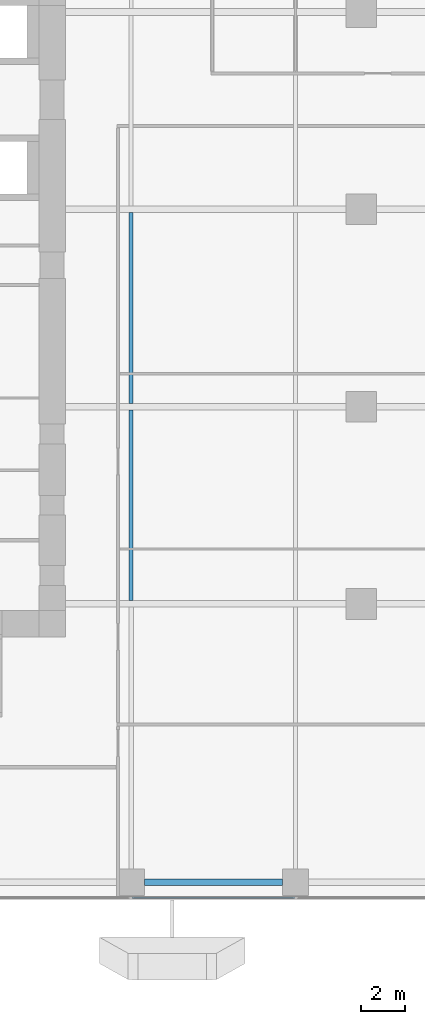
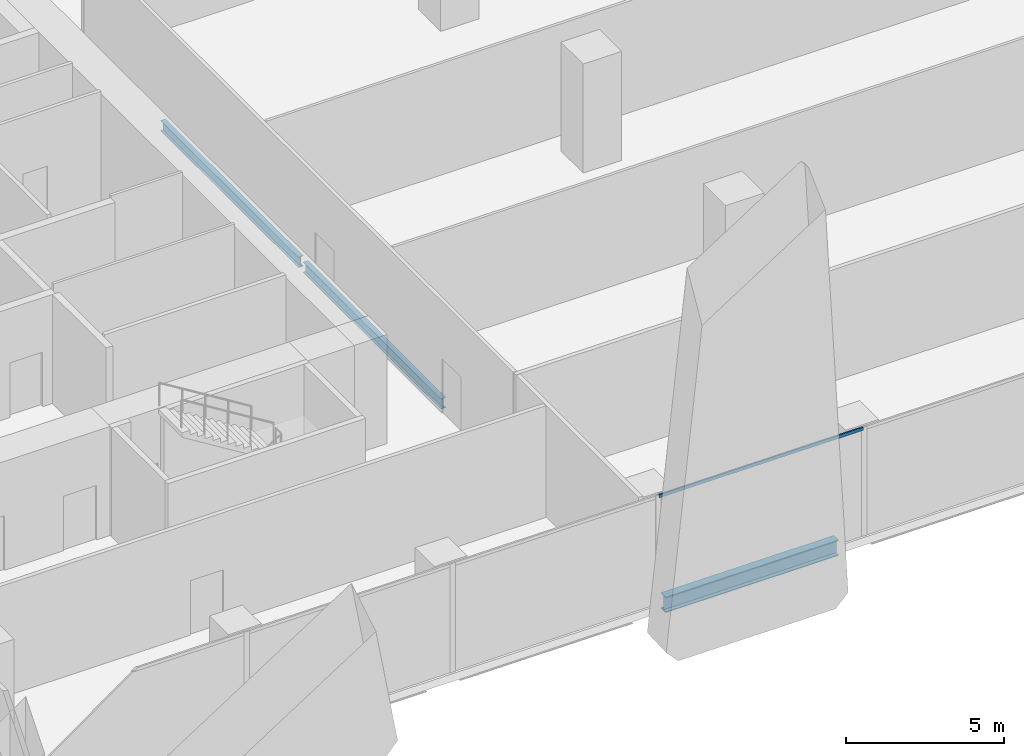
# One storey, part 6 of 34: 3 beams, 1 member, 1 element without a shape of its own.
"""IFC4 building model written with IfcOpenShell, lengths in metres."""

from ifc_helpers import new_model, si_unit, direction, frame, origin, origin_2d, place, context, subcontext, project, spatial, hollow_rectangle, i_section, extrude, source, transform, mapped, material, material_profile, profile_set, type_object, element, aggregate, save


model = new_model("IFC4")

# Units and contexts
model_context = context("Model", 3, precision=1e-05, world=origin(), true_north=direction((0.0, 1.0)))
body_context = subcontext(model_context, "Body", "Model", "MODEL_VIEW")
ifc_project = project(units=[si_unit("LENGTHUNIT", "METRE"), si_unit("AREAUNIT", "SQUARE_METRE"), si_unit("VOLUMEUNIT", "CUBIC_METRE"), si_unit("PLANEANGLEUNIT", "RADIAN"), si_unit("MASSUNIT", "GRAM", prefix="KILO")], contexts=[model_context])

# Site, building, storey
site_placement = place(None, origin())
site = spatial("IfcSite", under=ifc_project, at=site_placement, CompositionType="ELEMENT")
building_placement = place(site_placement, origin())
building = spatial("IfcBuilding", under=site, at=building_placement, Name="Khomas Fold Tower", CompositionType="ELEMENT")
storey_placement = place(building_placement, frame((0.0, 0.0, 51.0)))
storey = spatial("IfcBuildingStorey", under=building, at=storey_placement, Name="L10", CompositionType="ELEMENT", Elevation=51.0)

# Beams
ifc_material_1 = material(Name="Steel S355", Category="steel")
ifc_material_profile_1 = material_profile(ifc_material_1, i_section(OverallWidth=0.179931640625, OverallDepth=0.39990234375, WebThickness=0.008544921875, FlangeThickness=0.013427734375, at=origin_2d()), Name="IPE 400")
ifc_profile_set_1 = profile_set([ifc_material_profile_1], Name="Steel S355")
beam_type_1 = type_object("IfcBeamType", Name="IPE 400 beam JB3", PredefinedType="BEAM", material=ifc_profile_set_1)
shared_shape_1 = source(origin(), body_context, "Body", "SweptSolid", [
    extrude(i_section(OverallWidth=0.179931640625, OverallDepth=0.39990234375, WebThickness=0.008544921875, FlangeThickness=0.013427734375, at=origin_2d()), origin(), (0.0, 0.0, 1.0), 8.7001953125),
])
for number, where, z_axis, x_axis, name in (
    (1, (27.0, 13.64990234375, -0.5), (0.0, 1.0, 0.0), (-1.0, 0.0, 0.0), "JB3"),
    (2, (27.0, 22.64990234375, -0.5), (0.0, 1.0, 0.0), (-1.0, 0.0, 0.0), "JB3"),
):
    element("IfcBeam", number, at=place(storey_placement, frame(where, z_axis=z_axis, x_axis=x_axis)), inside=storey, type_object=beam_type_1, Name=name, PredefinedType="BEAM", context=body_context, shape_type="MappedRepresentation", body=[
        mapped(shared_shape_1, transform((0.0, 0.0, 0.0))),
    ])
ifc_material_2 = material(Name="Steel S355", Category="steel")
ifc_material_profile_2 = material_profile(ifc_material_2, i_section(OverallWidth=0.300048828125, OverallDepth=0.60009765625, WebThickness=0.015380859375, FlangeThickness=0.030029296875, at=origin_2d()), Name="HE 600 B")
ifc_profile_set_2 = profile_set([ifc_material_profile_2], Name="Steel S355")
beam_type_2 = type_object("IfcBeamType", Name="HE 600 B spandrel SB1", PredefinedType="SPANDREL", material=ifc_profile_set_2)
shared_shape_2 = source(origin(), body_context, "Body", "SweptSolid", [
    extrude(i_section(OverallWidth=0.300048828125, OverallDepth=0.60009765625, WebThickness=0.015380859375, FlangeThickness=0.030029296875, at=origin_2d()), origin(), (0.0, 0.0, 1.0), 6.2998046875),
])
beam_placement = place(storey_placement, frame((27.60009765625, 0.800048828125, -0.60009765625), z_axis=(1.0, 0.0, 0.0), x_axis=(0.0, 1.0, 0.0)))
element("IfcBeam", 3, at=beam_placement, inside=storey, type_object=beam_type_2, Name="SB1", PredefinedType="SPANDREL", context=body_context, shape_type="MappedRepresentation", body=[
    mapped(shared_shape_2, transform((0.0, 0.0, 0.0))),
])

# Curtain wall, member
ifc_material_3 = material(Name="Aluminium framed double glazing", Category="aluminium")
curtain_wall_type = type_object("IfcCurtainWallType", Name="SK-Unitised clear-glass wall, growing floors CW1", PredefinedType="NOTDEFINED", material=ifc_material_3)
curtain_wall_placement = place(storey_placement, origin())
curtain_wall = element("IfcCurtainWall", 4, at=curtain_wall_placement, inside=storey, type_object=curtain_wall_type, Name="CW1 run L10 00-0", PredefinedType="NOTDEFINED")
ifc_material_4 = material(Name="Aluminium", Category="aluminium")
ifc_material_profile_3 = material_profile(ifc_material_4, hollow_rectangle(XDim=0.06005859375, YDim=0.1201171875, WallThickness=0.00390625, at=origin_2d()), Name="SK-Unitised clear-glass wall, growing floors transom CW1-T")
ifc_profile_set_3 = profile_set([ifc_material_profile_3], Name="Aluminium")
member_type = type_object("IfcMemberType", Name="SK-Unitised clear-glass wall, growing floors transom CW1-T", PredefinedType="USERDEFINED", material=ifc_profile_set_3)
shared_shape_3 = source(origin(), body_context, "Body", "SweptSolid", [
    extrude(hollow_rectangle(XDim=0.06005859375, YDim=0.1201171875, WallThickness=0.00390625, at=origin_2d()), origin(), (0.0, 0.0, 1.0), 7.43994140625),
])
member_placement = place(storey_placement, frame((27.030029296875, 0.10009765625, 4.139892578125), z_axis=(1.0, 0.0, 0.0), x_axis=(0.0, 1.0, 0.0)))
member = element("IfcMember", 5, at=member_placement, type_object=member_type, Name="CW1 transom 5", ObjectType="TRANSOM", PredefinedType="USERDEFINED", context=body_context, shape_type="MappedRepresentation", body=[
    mapped(shared_shape_3, transform((0.0, 0.0, 0.0))),
])
aggregate(curtain_wall, [member])

save(model, "model.ifc")
